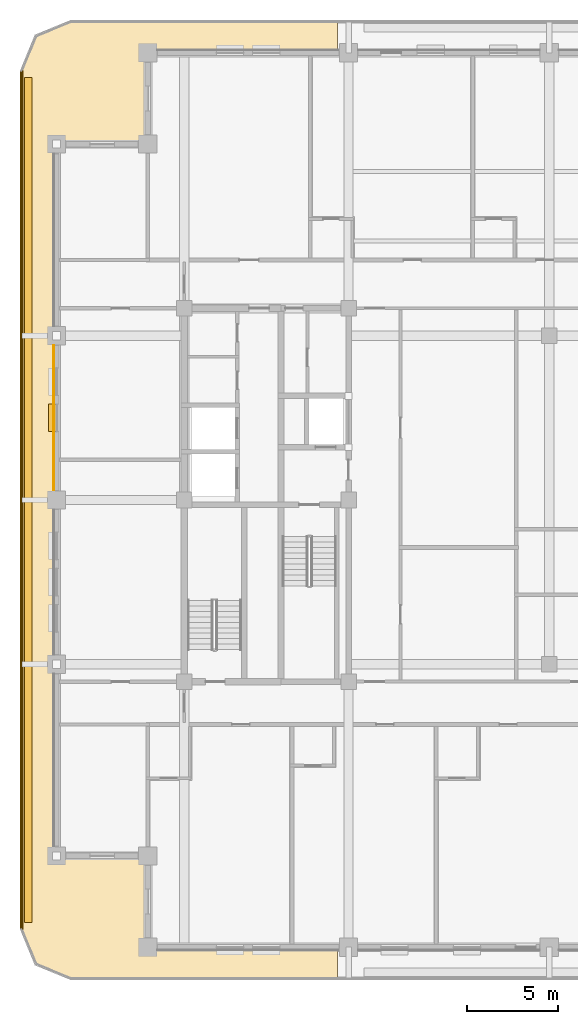
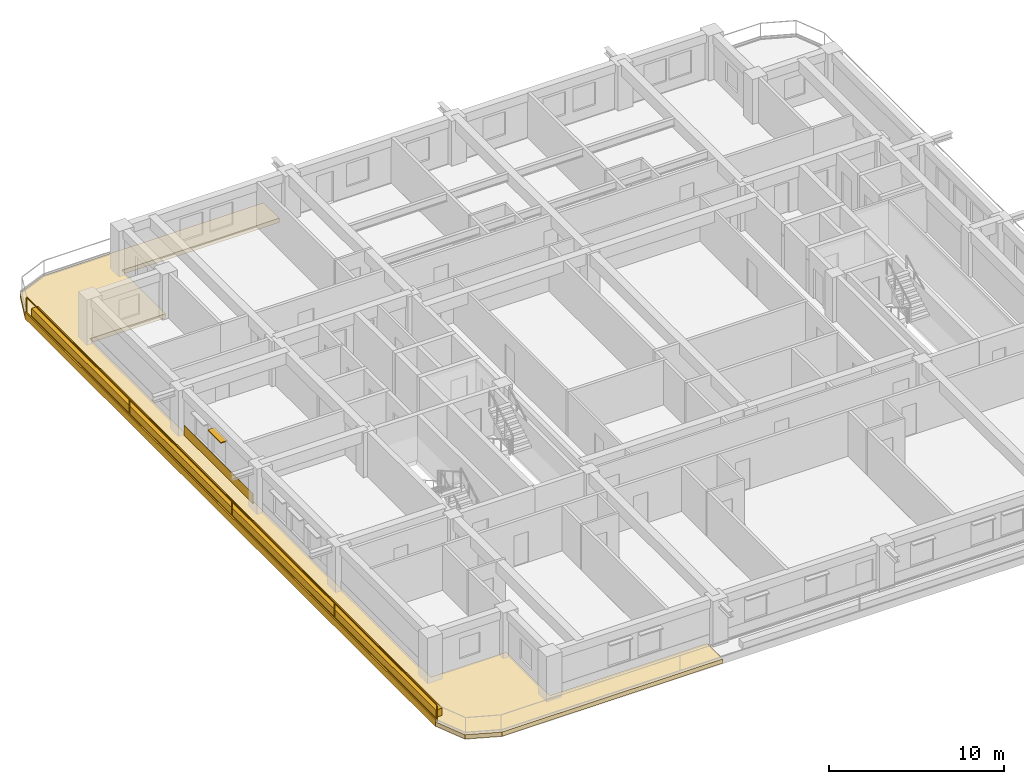
# One storey, part 10 of 14: 4 coverings, 1 railing, 1 shading device.
"""IFC4 building model written with IfcOpenShell, lengths in metres."""

import ifcopenshell
import ifcopenshell.guid

model = None  # the IFC model being written
_history = None  # IfcOwnerHistory: only IFC2X3 demands one
_inside = {}  # id of a spatial element -> (the spatial element, [elements in it])
_under = {}  # id of a project, library or spatial element -> (it, [spatial elements below it])
_declared = {}  # id of a project -> (the project, [libraries it declares])
_typed = {}  # id of a type object -> (the type object, [elements of that type])
_made_of = {}  # id of a material, layer set ... -> (it, [elements and type objects made of it])


def new_model(schema):
    """Start an empty IFC model of exactly this schema.

    Asked for "IFC4X3", IfcOpenShell would pick the latest addendum, in which some entities
    have other attributes; the version numbers below select the first issue.
    IFC2X3 requires an IfcOwnerHistory on every rooted entity: one is made here for all.
    """
    global model, _history
    if schema == "IFC4X3":
        model = ifcopenshell.file(schema_version=(4, 3, 0, 0))
    else:
        model = ifcopenshell.file(schema=schema)
    _inside.clear()
    _under.clear()
    _declared.clear()
    _typed.clear()
    _made_of.clear()
    _history = None
    if model.schema == "IFC2X3":
        org = make("IfcOrganization", Name="unknown")
        user = make(
            "IfcPersonAndOrganization",
            ThePerson=make("IfcPerson", FamilyName="unknown"),
            TheOrganization=org,
        )
        app = make(
            "IfcApplication",
            ApplicationDeveloper=org,
            Version="unknown",
            ApplicationFullName="unknown",
            ApplicationIdentifier="unknown",
        )
        _history = make(
            "IfcOwnerHistory",
            OwningUser=user,
            OwningApplication=app,
            ChangeAction="ADDED",
            CreationDate=0,
        )
    return model


def make(cls, **values):
    """One entity of the class cls with the attributes given. An attribute that is None is left unset."""
    return model.create_entity(
        cls, **{name: value for name, value in values.items() if value is not None}
    )


def rooted(cls, **values):
    """An entity with a GlobalId (a new one), such as an element, a storey or a relation."""
    return make(cls, GlobalId=ifcopenshell.guid.new(), OwnerHistory=_history, **values)


def si_unit(unit_type, name, prefix=None):
    """IfcSIUnit, for example si_unit("LENGTHUNIT", "METRE", prefix="MILLI")."""
    return make("IfcSIUnit", UnitType=unit_type, Prefix=prefix, Name=name)


def assignment(units):
    """IfcUnitAssignment: the units of a project."""
    return None if units is None else make("IfcUnitAssignment", Units=units)


def point(xyz):
    """IfcCartesianPoint."""
    return None if xyz is None else make("IfcCartesianPoint", Coordinates=xyz)


def direction(xyz):
    """IfcDirection."""
    return None if xyz is None else make("IfcDirection", DirectionRatios=xyz)


def frame(location, z_axis=None, x_axis=None):
    """IfcAxis2Placement3D, a coordinate frame: its origin and axes. An axis left out is left unset."""
    return make(
        "IfcAxis2Placement3D",
        Location=point(location),
        Axis=direction(z_axis),
        RefDirection=direction(x_axis),
    )


def frame_2d(location, x_axis=None):
    """IfcAxis2Placement2D, a coordinate frame in the plane: its origin and x axis."""
    return make(
        "IfcAxis2Placement2D", Location=point(location), RefDirection=direction(x_axis)
    )


def origin():
    """The frame at (0, 0, 0) with its axes left unset."""
    return frame((0.0, 0.0, 0.0))


def origin_2d():
    """The frame at (0, 0) in the plane with its x axis left unset."""
    return frame_2d((0.0, 0.0))


def place(relative_to, where):
    """IfcLocalPlacement: puts the frame where relative to a parent placement (None: the world)."""
    return make(
        "IfcLocalPlacement", PlacementRelTo=relative_to, RelativePlacement=where
    )


def context(
    kind, dimensions, precision=None, world=None, true_north=None, identifier=None
):
    """IfcGeometricRepresentationContext, for example the 3D "Model" context."""
    return make(
        "IfcGeometricRepresentationContext",
        ContextIdentifier=identifier,
        ContextType=kind,
        CoordinateSpaceDimension=dimensions,
        Precision=precision,
        WorldCoordinateSystem=world,
        TrueNorth=true_north,
    )


def subcontext(parent, identifier, kind, view, scale=None):
    """IfcGeometricRepresentationSubContext, for example "Body" below "Model"."""
    return make(
        "IfcGeometricRepresentationSubContext",
        ContextIdentifier=identifier,
        ContextType=kind,
        ParentContext=parent,
        TargetScale=scale,
        TargetView=view,
    )


def project(units=None, contexts=None):
    """IfcProject with its units and contexts."""
    return rooted(
        "IfcProject",
        Name="project",
        RepresentationContexts=contexts,
        UnitsInContext=assignment(units),
    )


def spatial(cls, under=None, at=None, **own):
    """A site, building, storey or space (cls), placed at a placement, below another one or the project."""
    s = rooted(cls, ObjectPlacement=at, **own)
    if under is not None:
        _under.setdefault(under.id(), (under, []))[1].append(s)
    return s


def polyline(points):
    """IfcPolyline through the points."""
    return make("IfcPolyline", Points=[point(p) for p in points])


def profile(cls, at=None, kind="AREA", **sizes):
    """A parametric profile (cls). Its sizes go by their IFC names, for example OverallWidth=200.0."""
    return make(cls, ProfileType=kind, Position=at, **sizes)


def rectangle(**sizes):
    """IfcRectangleProfileDef."""
    return profile("IfcRectangleProfileDef", **sizes)


def outline(outer, holes=None, kind="AREA"):
    """IfcArbitraryClosedProfileDef: a profile drawn as a closed curve; with holes, ...WithVoids."""
    if holes is None:
        return make("IfcArbitraryClosedProfileDef", ProfileType=kind, OuterCurve=outer)
    return make(
        "IfcArbitraryProfileDefWithVoids",
        ProfileType=kind,
        OuterCurve=outer,
        InnerCurves=holes,
    )


def extrude(swept, where, along, depth):
    """IfcExtrudedAreaSolid: the profile swept, set in the frame where, extruded along a direction by depth."""
    return make(
        "IfcExtrudedAreaSolid",
        SweptArea=swept,
        Position=where,
        ExtrudedDirection=direction(along),
        Depth=depth,
    )


def shape(context_of_items, identifier, shape_type, items):
    """IfcShapeRepresentation: the items that make up one representation, for example the "Body"."""
    return make(
        "IfcShapeRepresentation",
        ContextOfItems=context_of_items,
        RepresentationIdentifier=identifier,
        RepresentationType=shape_type,
        Items=items,
    )


def material(Name=None, Category=None):
    """IfcMaterial."""
    return make("IfcMaterial", Name=Name, Category=Category)


def layer(
    of_material, thickness, ventilated=None, Name=None, Category=None, Priority=None
):
    """IfcMaterialLayer: one layer of a wall or slab, of a material (None: an air gap)."""
    return make(
        "IfcMaterialLayer",
        Material=of_material,
        LayerThickness=thickness,
        IsVentilated=ventilated,
        Name=Name,
        Category=Category,
        Priority=Priority,
    )


def layer_set(layers, Name=None):
    """IfcMaterialLayerSet."""
    return make("IfcMaterialLayerSet", MaterialLayers=layers, LayerSetName=Name)


def made_of(thing, what):
    """Note that an element or type object is made of a material, layer set ...; save() writes the relation."""
    if what is not None:
        _made_of.setdefault(what.id(), (what, []))[1].append(thing)
    return thing


def type_object(cls, material=None, **own):
    """A type object (cls), such as IfcWallType, which elements share."""
    return made_of(rooted(cls, **own), material)


def element(
    cls,
    number,
    at=None,
    inside=None,
    cuts=None,
    type_object=None,
    material=None,
    context=None,
    identifier="Body",
    shape_type=None,
    held_by="IfcProductDefinitionShape",
    body=None,
    shapes=None,
    **own,
):
    """One element of the class cls, such as IfcWall. Its Tag is "e" and its number.

    at: its placement. inside: the storey or other place that contains it. cuts: it is an
    opening in that element (IfcRelVoidsElement). A single representation is given by context,
    identifier, shape_type and body (its items); several are given by shapes. held_by: the class
    of the entity that holds the representations. save() writes the other relations.
    """
    e = rooted(cls, Tag="e%d" % number, ObjectPlacement=at, **own)
    if body is not None:
        shapes = [shape(context, identifier, shape_type, body)]
    if shapes is not None:
        e.Representation = make(held_by, Representations=shapes)
    if inside is not None:
        _inside.setdefault(inside.id(), (inside, []))[1].append(e)
    if cuts is not None:
        rooted(
            "IfcRelVoidsElement", RelatingBuildingElement=cuts, RelatedOpeningElement=e
        )
    if type_object is not None:
        _typed.setdefault(type_object.id(), (type_object, []))[1].append(e)
    return made_of(e, material)


def aggregate(whole, parts):
    """IfcRelAggregates: a whole, such as a stair, and the parts it consists of."""
    return rooted("IfcRelAggregates", RelatingObject=whole, RelatedObjects=parts)


def save(model, path):
    """Write the relations noted so far, then the file.

    IfcRelAggregates (storeys below a building ...), IfcRelContainedInSpatialStructure (elements
    in a storey), IfcRelDefinesByType, IfcRelAssociatesMaterial and IfcRelDeclares: one each for
    every whole, place, type object, material and project.
    """
    for whole, parts in _under.values():
        aggregate(whole, parts)
    for where, things in _inside.values():
        rooted(
            "IfcRelContainedInSpatialStructure",
            RelatedElements=things,
            RelatingStructure=where,
        )
    for kind, things in _typed.values():
        rooted("IfcRelDefinesByType", RelatedObjects=things, RelatingType=kind)
    for what, things in _made_of.values():
        rooted("IfcRelAssociatesMaterial", RelatedObjects=things, RelatingMaterial=what)
    for by, libraries in _declared.values():
        rooted("IfcRelDeclares", RelatingContext=by, RelatedDefinitions=libraries)
    model.write(path)


model = new_model("IFC4")

# Units and contexts
model_context = context("Model", 3, precision=1e-05, world=origin(), true_north=direction((0.0, 1.0)))
body_context = subcontext(model_context, "Body", "Model", "MODEL_VIEW")
ifc_project = project(units=[si_unit("LENGTHUNIT", "METRE"), si_unit("AREAUNIT", "SQUARE_METRE"), si_unit("VOLUMEUNIT", "CUBIC_METRE"), si_unit("PLANEANGLEUNIT", "RADIAN"), si_unit("MASSUNIT", "GRAM", prefix="KILO")], contexts=[model_context])

# Site, building, storey
site_placement = place(None, origin())
site = spatial("IfcSite", under=ifc_project, at=site_placement, CompositionType="ELEMENT")
building_placement = place(site_placement, origin())
building = spatial("IfcBuilding", under=site, at=building_placement, Name="Zulmaris Gate Convention Tower", CompositionType="ELEMENT")
storey_placement = place(building_placement, frame((0.0, 0.0, 211.85986328125)))
storey = spatial("IfcBuildingStorey", under=building, at=storey_placement, Name="L55", CompositionType="ELEMENT", Elevation=211.85986328125)

# Coverings
ifc_material_1 = material(Name="Precast concrete C40/50", Category="concrete")
ifc_layer_1 = layer(ifc_material_1, 0.0400390625, Name="Precast concrete C40/50")
ifc_layer_set_1 = layer_set([ifc_layer_1], Name="Precast concrete C40/50")
covering_type_1 = type_object("IfcCoveringType", Name="CLAD-SPANDREL-PRECAST", PredefinedType="CLADDING", material=ifc_layer_set_1)
covering_1_placement = place(storey_placement, frame((-27.14990234375, 8.469970703125, 0.0), z_axis=(0.0, 0.0, 1.0), x_axis=(0.0, -1.0, 0.0)))
element("IfcCovering", 1, at=covering_1_placement, inside=storey, type_object=covering_type_1, Name="CLD-L55-W-2_0", PredefinedType="CLADDING", context=body_context, shape_type="SweptSolid", body=[
    extrude(rectangle(XDim=7.93994140625, YDim=0.0400390625, at=frame_2d((3.969970703125, 0.0))), origin(), (0.0, 0.0, 1.0), 0.679931640625),
])
ifc_material_2 = material(Name="White Glazed Architectural Precast Concrete C40/50", Category="concrete")
ifc_layer_2 = layer(ifc_material_2, 0.239990234375, Name="White Glazed Architectural Precast Concrete C40/50")
ifc_layer_set_2 = layer_set([ifc_layer_2], Name="White Glazed Architectural Precast Concrete C40/50")
covering_type_2 = type_object("IfcCoveringType", Name="CLAD-TRAY-DECK", PredefinedType="CLADDING", material=ifc_layer_set_2)
covering_2_placement = place(storey_placement, frame((0.0, 0.0, -0.324951171875)))
element("IfcCovering", 2, at=covering_2_placement, inside=storey, type_object=covering_type_2, Name="L55 West Rounded-Fascia Planter Tray Deck", PredefinedType="CLADDING", context=body_context, shape_type="SweptSolid", body=[
    extrude(outline(polyline([(-29.0, 23.5), (-28.179931640625, 25.47998046875), (-26.199951171875, 26.300048828125), (-11.60205078125, 26.300048828125), (-11.60205078125, 24.5), (-22.0, 24.5), (-22.0, 19.5), (-27.0, 19.5), (-27.0, -19.5), (-22.0, -19.5), (-22.0, -24.5), (-11.60205078125, -24.5), (-11.60205078125, -26.300048828125), (-26.199951171875, -26.300048828125), (-28.179931640625, -25.47998046875), (-29.0, -23.5), (-29.0, 23.5)])), origin(), (0.0, 0.0, 1.0), 0.300048828125),
])
ifc_layer_3 = layer(ifc_material_2, 0.080078125, Name="White Glazed Architectural Precast Concrete C40/50")
ifc_layer_set_3 = layer_set([ifc_layer_3], Name="White Glazed Architectural Precast Concrete C40/50")
covering_type_3 = type_object("IfcCoveringType", Name="CLAD-TRAY-FASCIA", PredefinedType="CLADDING", material=ifc_layer_set_3)
covering_3_placement = place(storey_placement, frame((-28.9599609375, 23.5, -0.364990234375), z_axis=(0.0, 0.0, 1.0), x_axis=(0.0, -1.0, 0.0)))
element("IfcCovering", 3, at=covering_3_placement, inside=storey, type_object=covering_type_3, Name="FSC-L55-TR-11", PredefinedType="CLADDING", context=body_context, shape_type="SweptSolid", body=[
    extrude(rectangle(XDim=47.0, YDim=0.080078125, at=frame_2d((23.5, 0.0))), origin(), (0.0, 0.0, 1.0), 0.5),
])
ifc_material_3 = material(Name="Botanical Green Glazed Precast Concrete C40/50", Category="concrete")
ifc_layer_4 = layer(ifc_material_3, 0.419921875, Name="Botanical Green Glazed Precast Concrete C40/50")
ifc_layer_set_4 = layer_set([ifc_layer_4], Name="Botanical Green Glazed Precast Concrete C40/50")
covering_type_4 = type_object("IfcCoveringType", Name="PLANTER-BOX-200", PredefinedType="CLADDING", material=ifc_layer_set_4)
covering_4_placement = place(storey_placement, frame((0.0, 0.0, -0.02490234375)))
element("IfcCovering", 4, at=covering_4_placement, inside=storey, type_object=covering_type_4, Name="L55 W Full-Length Balcony Tree Planter Trough", PredefinedType="CLADDING", context=body_context, shape_type="SweptSolid", body=[
    extrude(outline(polyline([(-28.760009765625, -23.14990234375), (-28.340087890625, -23.14990234375), (-28.340087890625, 23.14990234375), (-28.760009765625, 23.14990234375), (-28.760009765625, -23.14990234375)])), origin(), (0.0, 0.0, 1.0), 0.52001953125),
])

# Railing
ifc_material_4 = material(Name="Laminated Glass and Stainless Steel", Category="steel")
railing_type = type_object("IfcRailingType", Name="RL-BALC-1150", PredefinedType="BALUSTRADE", material=ifc_material_4)
railing_placement = place(storey_placement, frame((-28.8798828125, 23.5, -0.02490234375)))
element("IfcRailing", 5, at=railing_placement, inside=storey, type_object=railing_type, Name="RL-L55-BALC-W", PredefinedType="BALUSTRADE", context=body_context, shape_type="SweptSolid", body=[
    extrude(rectangle(XDim=0.048095703125, YDim=0.048095703125, at=origin_2d()), frame((0.0, 0.0, 1.1259765625), z_axis=(0.0, -1.0, 0.0), x_axis=(1.0, 0.0, 0.0)), (0.0, 0.0, 1.0), 47.0),
    extrude(rectangle(XDim=0.048095703125, YDim=0.048095703125, at=origin_2d()), frame((0.0, 0.0, 0.02392578125), z_axis=(0.0, -1.0, 0.0), x_axis=(1.0, 0.0, 0.0)), (0.0, 0.0, 1.0), 47.0),
    extrude(rectangle(XDim=0.0419921875, YDim=0.0419921875, at=origin_2d()), origin(), (0.0, 0.0, 1.0), 1.101806640625),
    extrude(rectangle(XDim=0.0419921875, YDim=0.0419921875, at=origin_2d()), frame((0.0, -11.75, 0.0)), (0.0, 0.0, 1.0), 1.101806640625),
    extrude(rectangle(XDim=0.0419921875, YDim=0.0419921875, at=origin_2d()), frame((0.0, -23.5, 0.0)), (0.0, 0.0, 1.0), 1.101806640625),
    extrude(rectangle(XDim=0.0419921875, YDim=0.0419921875, at=origin_2d()), frame((0.0, -35.25, 0.0)), (0.0, 0.0, 1.0), 1.101806640625),
    extrude(rectangle(XDim=0.0419921875, YDim=0.0419921875, at=origin_2d()), frame((0.0, -47.0, 0.0)), (0.0, 0.0, 1.0), 1.101806640625),
])

# Shading device
ifc_material_5 = material(Name="Glazed Ceramic Terracotta", Category="masonry")
ifc_layer_5 = layer(ifc_material_5, 0.070068359375, Name="Glazed Ceramic Terracotta")
ifc_layer_set_5 = layer_set([ifc_layer_5], Name="Glazed Ceramic Terracotta")
shading_device_type = type_object("IfcShadingDeviceType", Name="SHD-SUNSHADE-TC", PredefinedType="AWNING", material=ifc_layer_set_5)
shading_device_placement = place(storey_placement, frame((-27.219970703125, 5.25, 2.35009765625), z_axis=(0.0, 0.0, 1.0), x_axis=(0.0, -1.0, 0.0)))
element("IfcShadingDevice", 6, at=shading_device_placement, inside=storey, type_object=shading_device_type, Name="SHD-EW-L55-W-2_0-2", PredefinedType="AWNING", context=body_context, shape_type="SweptSolid", body=[
    extrude(rectangle(XDim=1.5, YDim=0.43994140625, at=frame_2d((0.75, 0.0))), origin(), (0.0, 0.0, 1.0), 0.06982421875),
])

save(model, "model.ifc")
